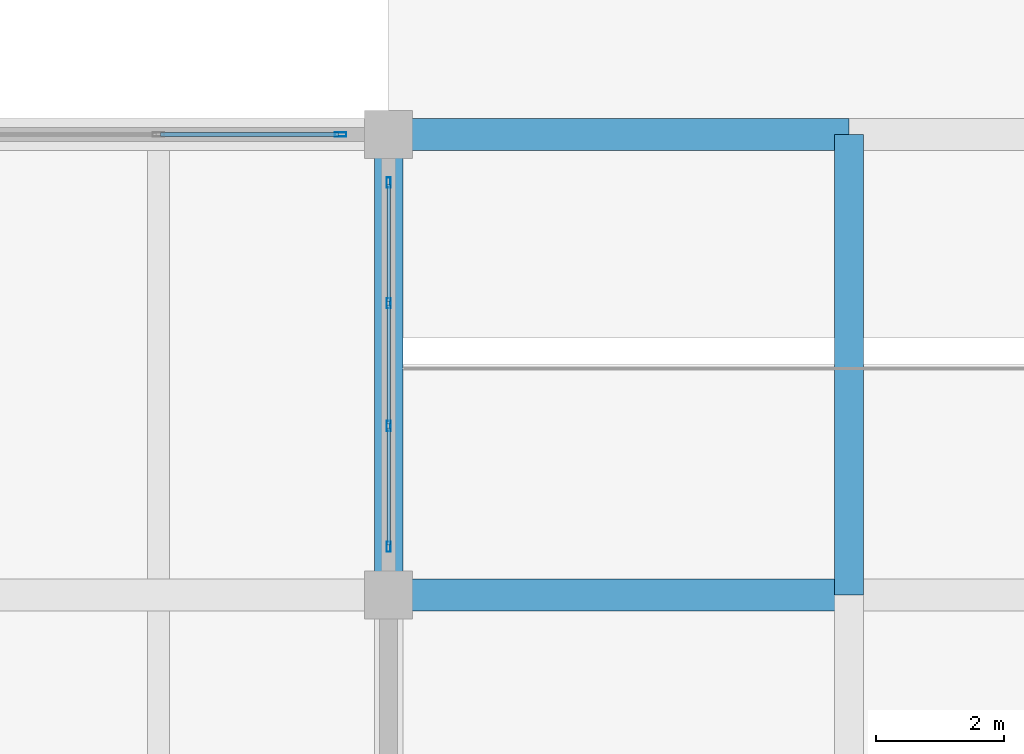
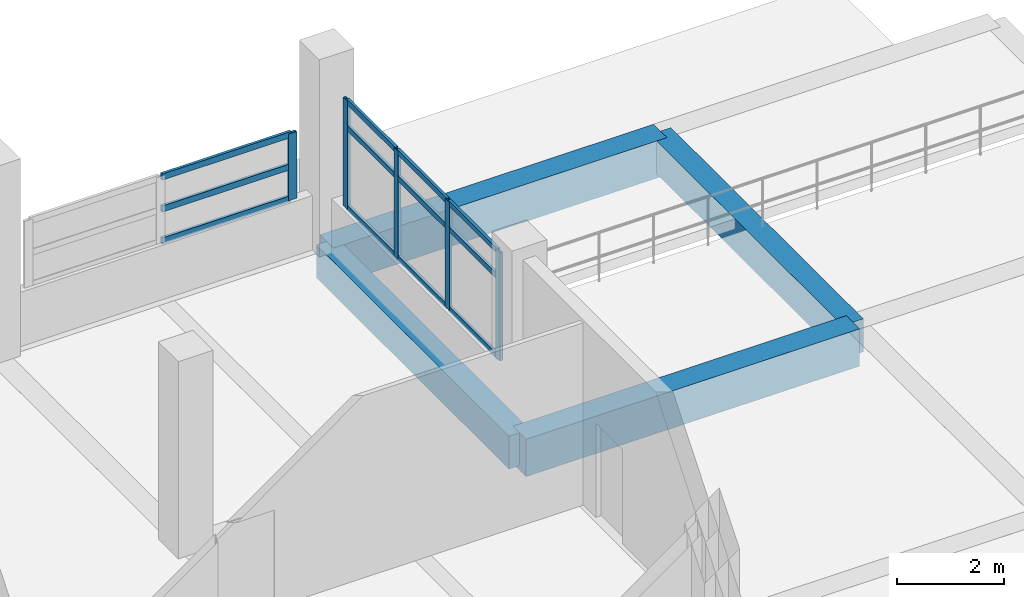
# One storey, part 43 of 141: 17 members, 4 beams, 2 elements without a shape of their own.
"""IFC4 building model written with IfcOpenShell, lengths in metres."""

from ifc_helpers import new_model, si_unit, direction, frame, origin, origin_2d, place, context, subcontext, project, spatial, rectangle, hollow_rectangle, extrude, material, layer, layer_set, material_profile, profile_set, type_object, element, aggregate, save


model = new_model("IFC4")

# Units and contexts
model_context = context("Model", 3, precision=1e-05, world=origin(), true_north=direction((0.0, 1.0)))
body_context = subcontext(model_context, "Body", "Model", "MODEL_VIEW")
ifc_project = project(units=[si_unit("LENGTHUNIT", "METRE"), si_unit("AREAUNIT", "SQUARE_METRE"), si_unit("VOLUMEUNIT", "CUBIC_METRE"), si_unit("PLANEANGLEUNIT", "RADIAN"), si_unit("MASSUNIT", "GRAM", prefix="KILO")], contexts=[model_context])

# Site, building, storey
site_placement = place(None, origin())
site = spatial("IfcSite", under=ifc_project, at=site_placement, CompositionType="ELEMENT")
building_placement = place(site_placement, origin())
building = spatial("IfcBuilding", under=site, at=building_placement, Name="Seraya Terrace Polytechnic", CompositionType="ELEMENT")
storey_placement = place(building_placement, frame((0.0, 0.0, 14.39990234375)))
storey = spatial("IfcBuildingStorey", under=building, at=storey_placement, Name="L03", CompositionType="ELEMENT", Elevation=14.39990234375)

# Beams
ifc_material_1 = material(Name="Concrete C40/50", Category="concrete")
ifc_material_profile_1 = material_profile(ifc_material_1, rectangle(XDim=0.5, YDim=0.85009765625, at=origin_2d()), Name="RC 500x850")
ifc_profile_set_1 = profile_set([ifc_material_profile_1], Name="Concrete C40/50")
beam_type_1 = type_object("IfcBeamType", Name="BM-05", PredefinedType="BEAM", material=ifc_profile_set_1)
for number, where, z_axis, x_axis, name in (
    (1, (115.199951171875, 21.60009765625, -0.4248046875), (1.0, 0.0, 0.0), (0.0, 1.0, 0.0), "Beam BM-05 L03 X (115.2..122.4, 21.6)"),
    (2, (115.199951171875, 28.800048828125, -0.4248046875), (1.0, 0.0, 0.0), (0.0, 1.0, 0.0), "Beam BM-05 L03 X (115.2..122.4, 28.8)"),
):
    element("IfcBeam", number, at=place(storey_placement, frame(where, z_axis=z_axis, x_axis=x_axis)), inside=storey, type_object=beam_type_1, Name=name, PredefinedType="BEAM", context=body_context, shape_type="SweptSolid", body=[
        extrude(rectangle(XDim=0.5, YDim=0.85009765625, at=origin_2d()), origin(), (0.0, 0.0, 1.0), 7.199951171875),
    ])
ifc_material_profile_2 = material_profile(ifc_material_1, rectangle(XDim=0.449951171875, YDim=0.75, at=origin_2d()), Name="RC 450x750")
ifc_profile_set_2 = profile_set([ifc_material_profile_2], Name="Concrete C40/50")
beam_type_2 = type_object("IfcBeamType", Name="BM-08", PredefinedType="BEAM", material=ifc_profile_set_2)
for number, where, z_axis, x_axis, name in (
    (3, (115.199951171875, 21.60009765625, -0.375), (0.0, 1.0, 0.0), (-1.0, 0.0, 0.0), "Beam BM-08 L03 Y (115.2, 21.6..28.8)"),
    (4, (122.39990234375, 21.60009765625, -0.375), (0.0, 1.0, 0.0), (-1.0, 0.0, 0.0), "Beam BM-08 L03 Y (122.4, 21.6..28.8)"),
):
    element("IfcBeam", number, at=place(storey_placement, frame(where, z_axis=z_axis, x_axis=x_axis)), inside=storey, type_object=beam_type_2, Name=name, PredefinedType="BEAM", context=body_context, shape_type="SweptSolid", body=[
        extrude(rectangle(XDim=0.449951171875, YDim=0.75, at=origin_2d()), origin(), (0.0, 0.0, 1.0), 7.199951171875),
    ])

# Curtain wall, member
ifc_material_2 = material(Name="Anodised aluminium EN AW-6063 T6", Category="aluminium")
ifc_layer_1 = layer(ifc_material_2, 0.179931640625, Name="CW-25")
ifc_layer_set_1 = layer_set([ifc_layer_1], Name="Anodised aluminium EN AW-6063 T6")
curtain_wall_type_1 = type_object("IfcCurtainWallType", Name="CW-25", PredefinedType="NOTDEFINED", material=ifc_layer_set_1)
curtain_wall_1_placement = place(storey_placement, origin())
curtain_wall_1 = element("IfcCurtainWall", 5, at=curtain_wall_1_placement, inside=storey, type_object=curtain_wall_type_1, Name="Unitised curtain wall CW-25 (CW-L03-133)", PredefinedType="NOTDEFINED")
ifc_material_profile_3 = material_profile(ifc_material_2, hollow_rectangle(XDim=0.06494140625, YDim=0.179931640625, WallThickness=0.00390625, at=origin_2d()), Name="RHS 180x65x4.0")
ifc_profile_set_3 = profile_set([ifc_material_profile_3], Name="Anodised aluminium EN AW-6063 T6")
member_type_1 = type_object("IfcMemberType", Name="CWM-01", PredefinedType="MULLION", material=ifc_profile_set_3)
member_1_placement = place(storey_placement, frame((114.447509765625, 28.800048828125, 1.239990234375), z_axis=(0.0, 0.0, 1.0), x_axis=(0.0, 1.0, 0.0)))
member_1 = element("IfcMember", 6, at=member_1_placement, type_object=member_type_1, Name="CW-25 mullion 3", PredefinedType="MULLION", context=body_context, shape_type="SweptSolid", body=[
    extrude(hollow_rectangle(XDim=0.06494140625, YDim=0.179931640625, WallThickness=0.00390625, at=origin_2d()), origin(), (0.0, 0.0, 1.0), 1.52001953125),
])

# Curtain wall, members
ifc_layer_2 = layer(ifc_material_2, 0.179931640625, Name="CW-26")
ifc_layer_set_2 = layer_set([ifc_layer_2], Name="Anodised aluminium EN AW-6063 T6")
curtain_wall_type_2 = type_object("IfcCurtainWallType", Name="CW-26", PredefinedType="NOTDEFINED", material=ifc_layer_set_2)
curtain_wall_2_placement = place(storey_placement, origin())
curtain_wall_2 = element("IfcCurtainWall", 7, at=curtain_wall_2_placement, inside=storey, type_object=curtain_wall_type_2, Name="Unitised curtain wall CW-26 (CW-L03-134)", PredefinedType="NOTDEFINED")
ifc_material_profile_4 = material_profile(ifc_material_2, hollow_rectangle(XDim=0.06005859375, YDim=0.159912109375, WallThickness=0.00341796875, at=origin_2d()), Name="RHS 160x60x3.5")
ifc_profile_set_4 = profile_set([ifc_material_profile_4], Name="Anodised aluminium EN AW-6063 T6")
member_type_2 = type_object("IfcMemberType", Name="CWM-02", PredefinedType="MULLION", material=ifc_profile_set_4)
member_2_placement = place(storey_placement, frame((115.199951171875, 28.050048828125, 1.239990234375), z_axis=(0.0, 0.0, 1.0), x_axis=(1.0, 0.0, 0.0)))
member_2 = element("IfcMember", 8, at=member_2_placement, type_object=member_type_2, Name="CW-26 mullion 1", PredefinedType="MULLION", context=body_context, shape_type="SweptSolid", body=[
    extrude(hollow_rectangle(XDim=0.06005859375, YDim=0.159912109375, WallThickness=0.00341796875, at=origin_2d()), origin(), (0.0, 0.0, 1.0), 2.47021484375),
])
member_3_placement = place(storey_placement, frame((115.199951171875, 26.159912109375, 1.239990234375), z_axis=(0.0, 0.0, 1.0), x_axis=(1.0, 0.0, 0.0)))
member_3 = element("IfcMember", 9, at=member_3_placement, type_object=member_type_2, Name="CW-26 mullion 2", PredefinedType="MULLION", context=body_context, shape_type="SweptSolid", body=[
    extrude(hollow_rectangle(XDim=0.06005859375, YDim=0.159912109375, WallThickness=0.00341796875, at=origin_2d()), origin(), (0.0, 0.0, 1.0), 2.47021484375),
])
member_4_placement = place(storey_placement, frame((115.199951171875, 24.239990234375, 1.239990234375), z_axis=(0.0, 0.0, 1.0), x_axis=(1.0, 0.0, 0.0)))
member_4 = element("IfcMember", 10, at=member_4_placement, type_object=member_type_2, Name="CW-26 mullion 3", PredefinedType="MULLION", context=body_context, shape_type="SweptSolid", body=[
    extrude(hollow_rectangle(XDim=0.06005859375, YDim=0.159912109375, WallThickness=0.00341796875, at=origin_2d()), origin(), (0.0, 0.0, 1.0), 2.47021484375),
])
member_5_placement = place(storey_placement, frame((115.199951171875, 22.35009765625, 1.239990234375), z_axis=(0.0, 0.0, 1.0), x_axis=(1.0, 0.0, 0.0)))
member_5 = element("IfcMember", 11, at=member_5_placement, type_object=member_type_2, Name="CW-26 mullion 4", PredefinedType="MULLION", context=body_context, shape_type="SweptSolid", body=[
    extrude(hollow_rectangle(XDim=0.06005859375, YDim=0.159912109375, WallThickness=0.00341796875, at=origin_2d()), origin(), (0.0, 0.0, 1.0), 2.47021484375),
])

# Member
ifc_material_profile_5 = material_profile(ifc_material_2, hollow_rectangle(XDim=0.06005859375, YDim=0.139892578125, WallThickness=0.00341796875, at=origin_2d()), Name="RHS 140x60x3.5")
ifc_profile_set_5 = profile_set([ifc_material_profile_5], Name="Anodised aluminium EN AW-6063 T6")
member_type_3 = type_object("IfcMemberType", Name="CWT-01", PredefinedType="USERDEFINED", material=ifc_profile_set_5)
member_6_placement = place(storey_placement, frame((111.632568359375, 28.800048828125, 1.27001953125), z_axis=(1.0, 0.0, 0.0), x_axis=(0.0, 1.0, 0.0)))
member_6 = element("IfcMember", 12, at=member_6_placement, type_object=member_type_3, Name="CW-25 transom 2.1", ObjectType="TRANSOM", PredefinedType="USERDEFINED", context=body_context, shape_type="SweptSolid", body=[
    extrude(hollow_rectangle(XDim=0.06005859375, YDim=0.139892578125, WallThickness=0.00341796875, at=origin_2d()), origin(), (0.0, 0.0, 1.0), 2.782470703125),
])

member_7_placement = place(storey_placement, frame((111.632568359375, 28.800048828125, 2.0), z_axis=(1.0, 0.0, 0.0), x_axis=(0.0, 1.0, 0.0)))
member_7 = element("IfcMember", 13, at=member_7_placement, type_object=member_type_3, Name="CW-25 transom 2.2", ObjectType="TRANSOM", PredefinedType="USERDEFINED", context=body_context, shape_type="SweptSolid", body=[
    extrude(hollow_rectangle(XDim=0.06005859375, YDim=0.139892578125, WallThickness=0.00341796875, at=origin_2d()), origin(), (0.0, 0.0, 1.0), 2.782470703125),
])

member_8_placement = place(storey_placement, frame((111.632568359375, 28.800048828125, 2.72998046875), z_axis=(1.0, 0.0, 0.0), x_axis=(0.0, 1.0, 0.0)))
member_8 = element("IfcMember", 14, at=member_8_placement, type_object=member_type_3, Name="CW-25 transom 2.3", ObjectType="TRANSOM", PredefinedType="USERDEFINED", context=body_context, shape_type="SweptSolid", body=[
    extrude(hollow_rectangle(XDim=0.06005859375, YDim=0.139892578125, WallThickness=0.00341796875, at=origin_2d()), origin(), (0.0, 0.0, 1.0), 2.782470703125),
])

aggregate(curtain_wall_1, [member_1, member_6, member_7, member_8])

ifc_material_profile_6 = material_profile(ifc_material_2, hollow_rectangle(XDim=0.06005859375, YDim=0.1201171875, WallThickness=0.003173828125, at=origin_2d()), Name="RHS 120x60x3.2")
ifc_profile_set_6 = profile_set([ifc_material_profile_6], Name="Anodised aluminium EN AW-6063 T6")
member_type_4 = type_object("IfcMemberType", Name="CWT-02", PredefinedType="USERDEFINED", material=ifc_profile_set_6)
member_9_placement = place(storey_placement, frame((115.199951171875, 28.02001953125, 1.27001953125), z_axis=(0.0, -1.0, 0.0), x_axis=(1.0, 0.0, 0.0)))
member_9 = element("IfcMember", 15, at=member_9_placement, type_object=member_type_4, Name="CW-26 transom 1.1", ObjectType="TRANSOM", PredefinedType="USERDEFINED", context=body_context, shape_type="SweptSolid", body=[
    extrude(hollow_rectangle(XDim=0.06005859375, YDim=0.1201171875, WallThickness=0.003173828125, at=origin_2d()), origin(), (0.0, 0.0, 1.0), 1.830078125),
])

member_10_placement = place(storey_placement, frame((115.199951171875, 28.02001953125, 3.090087890625), z_axis=(0.0, -1.0, 0.0), x_axis=(1.0, 0.0, 0.0)))
member_10 = element("IfcMember", 16, at=member_10_placement, type_object=member_type_4, Name="CW-26 transom 1.2", ObjectType="TRANSOM", PredefinedType="USERDEFINED", context=body_context, shape_type="SweptSolid", body=[
    extrude(hollow_rectangle(XDim=0.06005859375, YDim=0.1201171875, WallThickness=0.003173828125, at=origin_2d()), origin(), (0.0, 0.0, 1.0), 1.830078125),
])

member_11_placement = place(storey_placement, frame((115.199951171875, 28.02001953125, 3.68017578125), z_axis=(0.0, -1.0, 0.0), x_axis=(1.0, 0.0, 0.0)))
member_11 = element("IfcMember", 17, at=member_11_placement, type_object=member_type_4, Name="CW-26 transom 1.3", ObjectType="TRANSOM", PredefinedType="USERDEFINED", context=body_context, shape_type="SweptSolid", body=[
    extrude(hollow_rectangle(XDim=0.06005859375, YDim=0.1201171875, WallThickness=0.003173828125, at=origin_2d()), origin(), (0.0, 0.0, 1.0), 1.830078125),
])

member_12_placement = place(storey_placement, frame((115.199951171875, 26.1298828125, 1.27001953125), z_axis=(0.0, -1.0, 0.0), x_axis=(1.0, 0.0, 0.0)))
member_12 = element("IfcMember", 18, at=member_12_placement, type_object=member_type_4, Name="CW-26 transom 2.1", ObjectType="TRANSOM", PredefinedType="USERDEFINED", context=body_context, shape_type="SweptSolid", body=[
    extrude(hollow_rectangle(XDim=0.06005859375, YDim=0.1201171875, WallThickness=0.003173828125, at=origin_2d()), origin(), (0.0, 0.0, 1.0), 1.85986328125),
])

member_13_placement = place(storey_placement, frame((115.199951171875, 26.1298828125, 3.090087890625), z_axis=(0.0, -1.0, 0.0), x_axis=(1.0, 0.0, 0.0)))
member_13 = element("IfcMember", 19, at=member_13_placement, type_object=member_type_4, Name="CW-26 transom 2.2", ObjectType="TRANSOM", PredefinedType="USERDEFINED", context=body_context, shape_type="SweptSolid", body=[
    extrude(hollow_rectangle(XDim=0.06005859375, YDim=0.1201171875, WallThickness=0.003173828125, at=origin_2d()), origin(), (0.0, 0.0, 1.0), 1.85986328125),
])

member_14_placement = place(storey_placement, frame((115.199951171875, 26.1298828125, 3.68017578125), z_axis=(0.0, -1.0, 0.0), x_axis=(1.0, 0.0, 0.0)))
member_14 = element("IfcMember", 20, at=member_14_placement, type_object=member_type_4, Name="CW-26 transom 2.3", ObjectType="TRANSOM", PredefinedType="USERDEFINED", context=body_context, shape_type="SweptSolid", body=[
    extrude(hollow_rectangle(XDim=0.06005859375, YDim=0.1201171875, WallThickness=0.003173828125, at=origin_2d()), origin(), (0.0, 0.0, 1.0), 1.85986328125),
])

member_15_placement = place(storey_placement, frame((115.199951171875, 24.2099609375, 1.27001953125), z_axis=(0.0, -1.0, 0.0), x_axis=(1.0, 0.0, 0.0)))
member_15 = element("IfcMember", 21, at=member_15_placement, type_object=member_type_4, Name="CW-26 transom 3.1", ObjectType="TRANSOM", PredefinedType="USERDEFINED", context=body_context, shape_type="SweptSolid", body=[
    extrude(hollow_rectangle(XDim=0.06005859375, YDim=0.1201171875, WallThickness=0.003173828125, at=origin_2d()), origin(), (0.0, 0.0, 1.0), 1.830078125),
])

member_16_placement = place(storey_placement, frame((115.199951171875, 24.2099609375, 3.090087890625), z_axis=(0.0, -1.0, 0.0), x_axis=(1.0, 0.0, 0.0)))
member_16 = element("IfcMember", 22, at=member_16_placement, type_object=member_type_4, Name="CW-26 transom 3.2", ObjectType="TRANSOM", PredefinedType="USERDEFINED", context=body_context, shape_type="SweptSolid", body=[
    extrude(hollow_rectangle(XDim=0.06005859375, YDim=0.1201171875, WallThickness=0.003173828125, at=origin_2d()), origin(), (0.0, 0.0, 1.0), 1.830078125),
])

member_17_placement = place(storey_placement, frame((115.199951171875, 24.2099609375, 3.68017578125), z_axis=(0.0, -1.0, 0.0), x_axis=(1.0, 0.0, 0.0)))
member_17 = element("IfcMember", 23, at=member_17_placement, type_object=member_type_4, Name="CW-26 transom 3.3", ObjectType="TRANSOM", PredefinedType="USERDEFINED", context=body_context, shape_type="SweptSolid", body=[
    extrude(hollow_rectangle(XDim=0.06005859375, YDim=0.1201171875, WallThickness=0.003173828125, at=origin_2d()), origin(), (0.0, 0.0, 1.0), 1.830078125),
])

aggregate(curtain_wall_2, [member_2, member_3, member_4, member_5, member_9, member_10, member_11, member_12, member_13, member_14, member_15, member_16, member_17])

save(model, "model.ifc")
